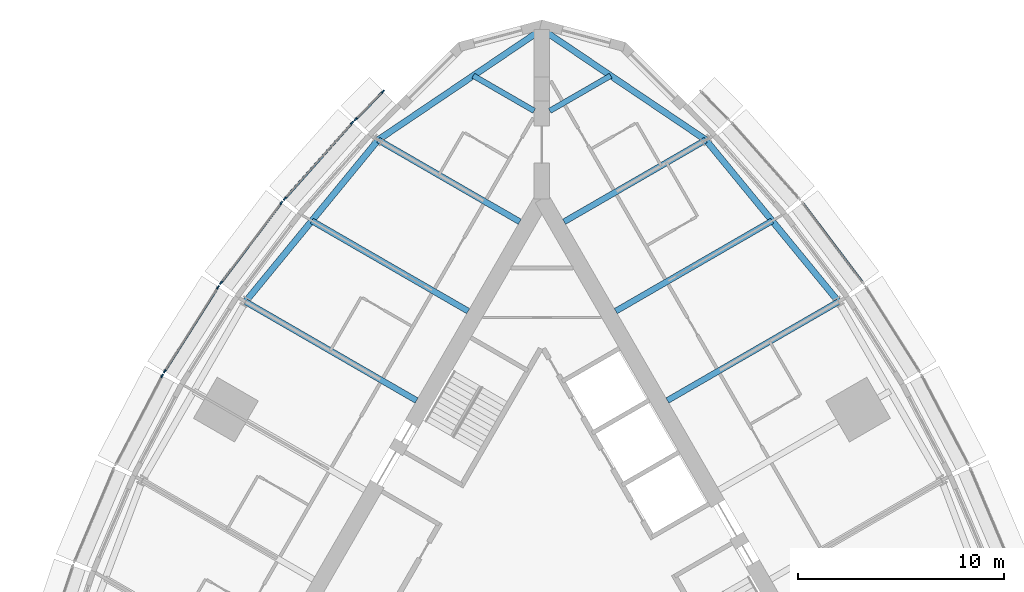
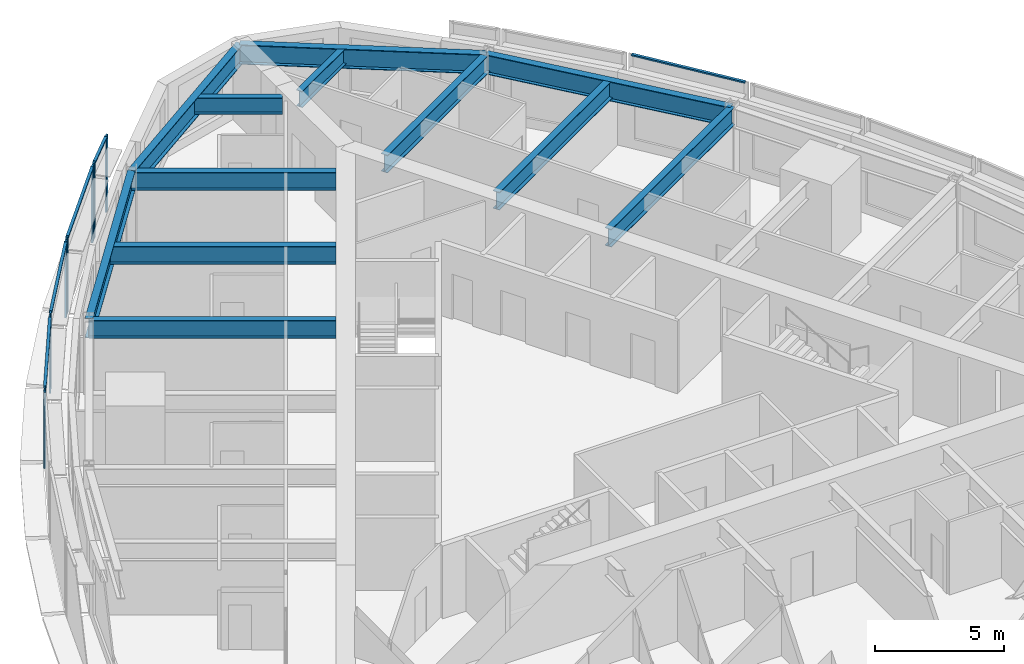
# One storey, part 5 of 15: 14 members, 12 beams, 6 elements without a shape of their own.
"""IFC4 building model written with IfcOpenShell, lengths in metres."""

from ifc_helpers import new_model, si_unit, direction, frame, origin, origin_2d, place, context, subcontext, project, spatial, rectangle, i_section, extrude, material, material_profile, profile_set, type_object, element, aggregate, save


model = new_model("IFC4")

# Units and contexts
model_context = context("Model", 3, precision=1e-05, world=origin(), true_north=direction((0.0, 1.0)))
body_context = subcontext(model_context, "Body", "Model", "MODEL_VIEW")
ifc_project = project(units=[si_unit("LENGTHUNIT", "METRE"), si_unit("AREAUNIT", "SQUARE_METRE"), si_unit("VOLUMEUNIT", "CUBIC_METRE"), si_unit("PLANEANGLEUNIT", "RADIAN"), si_unit("MASSUNIT", "GRAM", prefix="KILO")], contexts=[model_context])

# Site, building, storey
site_placement = place(None, origin())
site = spatial("IfcSite", under=ifc_project, at=site_placement, CompositionType="ELEMENT")
building_placement = place(site_placement, origin())
building = spatial("IfcBuilding", under=site, at=building_placement, Name="Trikona Tower", CompositionType="ELEMENT")
storey_placement = place(building_placement, frame((0.0, 0.0, 211.699951171875)))
storey = spatial("IfcBuildingStorey", under=building, at=storey_placement, Name="L56", CompositionType="ELEMENT", Elevation=211.699951171875)

# Curtain wall, members
ifc_material_1 = material(Name="Aluminium curtain wall system", Category="aluminium")
curtain_wall_type = type_object("IfcCurtainWallType", Name="Curtain wall DS3", PredefinedType="NOTDEFINED", material=ifc_material_1)
curtain_wall_1_placement = place(storey_placement, origin())
curtain_wall_1 = element("IfcCurtainWall", 1, at=curtain_wall_1_placement, inside=storey, type_object=curtain_wall_type, Name="Curtain wall DS3 L56", PredefinedType="NOTDEFINED")
ifc_material_2 = material(Name="Aluminium mullion, pale anodised", Category="aluminium")
ifc_material_profile_1 = material_profile(ifc_material_2, rectangle(XDim=0.070068359375, YDim=0.179931640625, at=origin_2d()), Name="MUL-DS3")
ifc_profile_set_1 = profile_set([ifc_material_profile_1], Name="Aluminium mullion, pale anodised")
member_type_1 = type_object("IfcMemberType", Name="Mullion DS3 70x180", PredefinedType="MULLION", material=ifc_profile_set_1)
member_1_placement = place(storey_placement, frame((-7.7060546875, 24.237548828125, 0.0), z_axis=(0.0, 0.0, 1.0), x_axis=(0.710051900554, -0.704149343903, 0.0)))
member_1 = element("IfcMember", 2, at=member_1_placement, type_object=member_type_1, Name="CW-DS3 mullion 1", PredefinedType="MULLION", context=body_context, shape_type="SweptSolid", body=[
    extrude(rectangle(XDim=0.070068359375, YDim=0.179931640625, at=origin_2d()), origin(), (0.0, 0.0, 1.0), 3.60009765625),
])
member_2_placement = place(storey_placement, frame((-9.028564453125, 22.904052734375, 0.0), z_axis=(0.0, 0.0, 1.0), x_axis=(0.710051900554, -0.704149343903, 0.0)))
member_2 = element("IfcMember", 3, at=member_2_placement, type_object=member_type_1, Name="CW-DS3 mullion 2", PredefinedType="MULLION", context=body_context, shape_type="SweptSolid", body=[
    extrude(rectangle(XDim=0.070068359375, YDim=0.179931640625, at=origin_2d()), origin(), (0.0, 0.0, 1.0), 3.60009765625),
])

curtain_wall_2_placement = place(storey_placement, origin())
curtain_wall_2 = element("IfcCurtainWall", 4, at=curtain_wall_2_placement, inside=storey, type_object=curtain_wall_type, Name="Curtain wall DS3 L56", PredefinedType="NOTDEFINED")
member_3_placement = place(storey_placement, frame((-9.192138671875, 22.729736328125, 0.0), z_axis=(0.0, 0.0, 1.0), x_axis=(0.747402677853, -0.664371309689, 0.0)))
member_3 = element("IfcMember", 5, at=member_3_placement, type_object=member_type_1, Name="CW-DS3 mullion 1", PredefinedType="MULLION", context=body_context, shape_type="SweptSolid", body=[
    extrude(rectangle(XDim=0.070068359375, YDim=0.179931640625, at=origin_2d()), origin(), (0.0, 0.0, 1.0), 3.60009765625),
])
member_4_placement = place(storey_placement, frame((-12.45751953125, 19.056396484375, 0.0), z_axis=(0.0, 0.0, 1.0), x_axis=(0.747402677853, -0.664371309689, 0.0)))
member_4 = element("IfcMember", 6, at=member_4_placement, type_object=member_type_1, Name="CW-DS3 mullion 2", PredefinedType="MULLION", context=body_context, shape_type="SweptSolid", body=[
    extrude(rectangle(XDim=0.070068359375, YDim=0.179931640625, at=origin_2d()), origin(), (0.0, 0.0, 1.0), 3.60009765625),
])

curtain_wall_3_placement = place(storey_placement, origin())
curtain_wall_3 = element("IfcCurtainWall", 7, at=curtain_wall_3_placement, inside=storey, type_object=curtain_wall_type, Name="Curtain wall DS3 L56", PredefinedType="NOTDEFINED")
member_5_placement = place(storey_placement, frame((-12.62353515625, 18.853759765625, 0.0), z_axis=(0.0, 0.0, 1.0), x_axis=(0.798193208724, -0.602401528506, 0.0)))
member_5 = element("IfcMember", 8, at=member_5_placement, type_object=member_type_1, Name="CW-DS3 mullion 1", PredefinedType="MULLION", context=body_context, shape_type="SweptSolid", body=[
    extrude(rectangle(XDim=0.070068359375, YDim=0.179931640625, at=origin_2d()), origin(), (0.0, 0.0, 1.0), 3.60009765625),
])
member_6_placement = place(storey_placement, frame((-15.5439453125, 14.984130859375, 0.0), z_axis=(0.0, 0.0, 1.0), x_axis=(0.798193208724, -0.602401528506, 0.0)))
member_6 = element("IfcMember", 9, at=member_6_placement, type_object=member_type_1, Name="CW-DS3 mullion 2", PredefinedType="MULLION", context=body_context, shape_type="SweptSolid", body=[
    extrude(rectangle(XDim=0.070068359375, YDim=0.179931640625, at=origin_2d()), origin(), (0.0, 0.0, 1.0), 3.60009765625),
])

curtain_wall_4_placement = place(storey_placement, origin())
curtain_wall_4 = element("IfcCurtainWall", 10, at=curtain_wall_4_placement, inside=storey, type_object=curtain_wall_type, Name="Curtain wall DS3 L56", PredefinedType="NOTDEFINED")
member_7_placement = place(storey_placement, frame((-15.69384765625, 14.767578125, 0.0), z_axis=(0.0, 0.0, 1.0), x_axis=(0.844727131858, -0.535197227854, 0.0)))
member_7 = element("IfcMember", 11, at=member_7_placement, type_object=member_type_1, Name="CW-DS3 mullion 1", PredefinedType="MULLION", context=body_context, shape_type="SweptSolid", body=[
    extrude(rectangle(XDim=0.070068359375, YDim=0.179931640625, at=origin_2d()), origin(), (0.0, 0.0, 1.0), 3.60009765625),
])
member_8_placement = place(storey_placement, frame((-18.2705078125, 10.700927734375, 0.0), z_axis=(0.0, 0.0, 1.0), x_axis=(0.844727131858, -0.535197227854, 0.0)))
member_8 = element("IfcMember", 12, at=member_8_placement, type_object=member_type_1, Name="CW-DS3 mullion 2", PredefinedType="MULLION", context=body_context, shape_type="SweptSolid", body=[
    extrude(rectangle(XDim=0.070068359375, YDim=0.179931640625, at=origin_2d()), origin(), (0.0, 0.0, 1.0), 3.60009765625),
])

# Curtain wall, member
curtain_wall_5_placement = place(storey_placement, origin())
curtain_wall_5 = element("IfcCurtainWall", 13, at=curtain_wall_5_placement, inside=storey, type_object=curtain_wall_type, Name="Curtain wall DS3 L56", PredefinedType="NOTDEFINED")
member_9_placement = place(storey_placement, frame((-18.40234375, 10.472412109375, 0.0), z_axis=(0.0, 0.0, 1.0), x_axis=(0.885862390527, -0.463948084434, 0.0)))
member_9 = element("IfcMember", 14, at=member_9_placement, type_object=member_type_1, Name="CW-DS3 mullion 1", PredefinedType="MULLION", context=body_context, shape_type="SweptSolid", body=[
    extrude(rectangle(XDim=0.070068359375, YDim=0.179931640625, at=origin_2d()), origin(), (0.0, 0.0, 1.0), 3.60009765625),
])
aggregate(curtain_wall_5, [member_9])

# Beams
ifc_material_3 = material(Name="Steel ASTM A992 Grade 50", Category="steel")
ifc_material_profile_2 = material_profile(ifc_material_3, i_section(OverallWidth=0.2666015625, OverallDepth=0.76953125, WebThickness=0.015625, FlangeThickness=0.025390625, at=origin_2d()), Name="W30X132")
ifc_profile_set_2 = profile_set([ifc_material_profile_2], Name="Steel ASTM A992 Grade 50")
beam_type_1 = type_object("IfcBeamType", Name="Steel beam W30x132 (wedge)", PredefinedType="BEAM", material=ifc_profile_set_2)
for number, where, z_axis, x_axis, name in (
    (15, (0.375, 23.310546875, 3.05029296875), (0.866027000698, 0.499997234054, 0.0), (-0.499997234054, 0.866027000698, 0.0), "Floor beam L57 F2 u20"),
    (16, (-0.375, 23.310546875, 3.05029296875), (-0.866027000698, 0.499997234054, 0.0), (-0.499997234054, -0.866027000698, 0.0), "Floor beam L57 F3 u-20"),
):
    element("IfcBeam", number, at=place(storey_placement, frame(where, z_axis=z_axis, x_axis=x_axis)), inside=storey, type_object=beam_type_1, Name=name, PredefinedType="BEAM", context=body_context, shape_type="SweptSolid", body=[
        extrude(i_section(OverallWidth=0.2666015625, OverallDepth=0.76953125, WebThickness=0.015625, FlangeThickness=0.025390625, at=origin_2d()), origin(), (0.0, 0.0, 1.0), 3.40966796875),
    ])
ifc_material_4 = material(Name="Steel ASTM A992 Grade 50", Category="steel")
ifc_material_profile_3 = material_profile(ifc_material_4, i_section(OverallWidth=0.2919921875, OverallDepth=0.845703125, WebThickness=0.015380859375, FlangeThickness=0.0244140625, at=origin_2d()), Name="W33X141")
ifc_profile_set_3 = profile_set([ifc_material_profile_3], Name="Steel ASTM A992 Grade 50")
beam_type_2 = type_object("IfcBeamType", Name="Steel beam W33x141 (radial typ)", PredefinedType="BEAM", material=ifc_profile_set_3)
beam_1_placement = place(storey_placement, frame((6.07470703125, 9.28076171875, 3.01220703125), z_axis=(0.866025863714, 0.499999203377, 0.0), x_axis=(-0.499999203377, 0.866025863714, 0.0)))
element("IfcBeam", 17, at=beam_1_placement, inside=storey, type_object=beam_type_2, Name="Floor beam L57 F2 u5", PredefinedType="BEAM", context=body_context, shape_type="SweptSolid", body=[
    extrude(i_section(OverallWidth=0.2919921875, OverallDepth=0.845703125, WebThickness=0.015380859375, FlangeThickness=0.0244140625, at=origin_2d()), origin(), (0.0, 0.0, 1.0), 9.57080078125),
])
beam_2_placement = place(storey_placement, frame((3.57470703125, 13.61083984375, 3.01220703125), z_axis=(0.866013609749, 0.500020427312, 0.0), x_axis=(-0.500020427312, 0.866013609749, 0.0)))
element("IfcBeam", 18, at=beam_2_placement, inside=storey, type_object=beam_type_2, Name="Floor beam L57 F2 u10", PredefinedType="BEAM", context=body_context, shape_type="SweptSolid", body=[
    extrude(i_section(OverallWidth=0.2919921875, OverallDepth=0.845703125, WebThickness=0.015380859375, FlangeThickness=0.0244140625, at=origin_2d()), origin(), (0.0, 0.0, 1.0), 8.747314453125),
])
for number, where, z_axis, x_axis, name in (
    (19, (1.07470703125, 17.94091796875, 3.01220703125), (0.866019853763, 0.500009612796, 0.0), (-0.500009612796, 0.866019853763, 0.0), "Floor beam L57 F2 u15"),
    (20, (-1.07470703125, 17.94091796875, 3.01220703125), (-0.866019853763, 0.500009612796, 0.0), (-0.500009612796, -0.866019853763, 0.0), "Floor beam L57 F3 u-15"),
):
    element("IfcBeam", number, at=place(storey_placement, frame(where, z_axis=z_axis, x_axis=x_axis)), inside=storey, type_object=beam_type_2, Name=name, PredefinedType="BEAM", context=body_context, shape_type="SweptSolid", body=[
        extrude(i_section(OverallWidth=0.2919921875, OverallDepth=0.845703125, WebThickness=0.015380859375, FlangeThickness=0.0244140625, at=origin_2d()), origin(), (0.0, 0.0, 1.0), 7.923583984375),
    ])
beam_3_placement = place(storey_placement, frame((-3.57470703125, 13.61083984375, 3.01220703125), z_axis=(-0.866013609749, 0.500020427312, 0.0), x_axis=(-0.500020427312, -0.866013609749, 0.0)))
element("IfcBeam", 21, at=beam_3_placement, inside=storey, type_object=beam_type_2, Name="Floor beam L57 F3 u-10", PredefinedType="BEAM", context=body_context, shape_type="SweptSolid", body=[
    extrude(i_section(OverallWidth=0.2919921875, OverallDepth=0.845703125, WebThickness=0.015380859375, FlangeThickness=0.0244140625, at=origin_2d()), origin(), (0.0, 0.0, 1.0), 8.747314453125),
])
beam_4_placement = place(storey_placement, frame((-6.07470703125, 9.28076171875, 3.01220703125), z_axis=(-0.866025863714, 0.499999203377, 0.0), x_axis=(-0.499999203377, -0.866025863714, 0.0)))
element("IfcBeam", 22, at=beam_4_placement, inside=storey, type_object=beam_type_2, Name="Floor beam L57 F3 u-5", PredefinedType="BEAM", context=body_context, shape_type="SweptSolid", body=[
    extrude(i_section(OverallWidth=0.2919921875, OverallDepth=0.845703125, WebThickness=0.015380859375, FlangeThickness=0.0244140625, at=origin_2d()), origin(), (0.0, 0.0, 1.0), 9.57080078125),
])
ifc_material_5 = material(Name="Steel ASTM A992 Grade 50", Category="steel")
ifc_material_profile_4 = material_profile(ifc_material_5, i_section(OverallWidth=0.307373046875, OverallDepth=0.922119140625, WebThickness=0.018310546875, FlangeThickness=0.030029296875, at=origin_2d()), Name="W36X182")
ifc_profile_set_4 = profile_set([ifc_material_profile_4], Name="Steel ASTM A992 Grade 50")
beam_type_3 = type_object("IfcBeamType", Name="Steel beam W36x182 (spandrel mid)", PredefinedType="SPANDREL", material=ifc_profile_set_4)
beam_5_placement = place(storey_placement, frame((14.36328125, 14.066162109375, 2.97412109375), z_axis=(-0.634105803308, 0.77324629337, 0.0), x_axis=(-0.77324629337, -0.634105803308, 0.0)))
element("IfcBeam", 23, at=beam_5_placement, inside=storey, type_object=beam_type_3, Name="Spandrel beam L57 F2-4", PredefinedType="SPANDREL", context=body_context, shape_type="SweptSolid", body=[
    extrude(i_section(OverallWidth=0.307373046875, OverallDepth=0.922119140625, WebThickness=0.018310546875, FlangeThickness=0.030029296875, at=origin_2d()), origin(), (0.0, 0.0, 1.0), 10.134765625),
])
for number, where, z_axis, x_axis, name in (
    (24, (7.936767578125, 21.90283203125, 2.97412109375), (-0.828725418029, 0.55965541319, 0.0), (-0.55965541319, -0.828725418029, 0.0), "Spandrel beam L57 F2-5"),
    (25, (0.0, 27.2626953125, 2.97412109375), (-0.828725418029, -0.55965541319, 0.0), (0.55965541319, -0.828725418029, 0.0), "Spandrel beam L57 F3-1"),
):
    element("IfcBeam", number, at=place(storey_placement, frame(where, z_axis=z_axis, x_axis=x_axis)), inside=storey, type_object=beam_type_3, Name=name, PredefinedType="SPANDREL", context=body_context, shape_type="SweptSolid", body=[
        extrude(i_section(OverallWidth=0.307373046875, OverallDepth=0.922119140625, WebThickness=0.018310546875, FlangeThickness=0.030029296875, at=origin_2d()), origin(), (0.0, 0.0, 1.0), 9.5771484375),
    ])
beam_6_placement = place(storey_placement, frame((-7.936767578125, 21.90283203125, 2.97412109375), z_axis=(-0.634105803308, -0.77324629337, 0.0), x_axis=(0.77324629337, -0.634105803308, 0.0)))
element("IfcBeam", 26, at=beam_6_placement, inside=storey, type_object=beam_type_3, Name="Spandrel beam L57 F3-2", PredefinedType="SPANDREL", context=body_context, shape_type="SweptSolid", body=[
    extrude(i_section(OverallWidth=0.307373046875, OverallDepth=0.922119140625, WebThickness=0.018310546875, FlangeThickness=0.030029296875, at=origin_2d()), origin(), (0.0, 0.0, 1.0), 10.134765625),
])

# Curtain wall, member
curtain_wall_6_placement = place(storey_placement, origin())
curtain_wall_6 = element("IfcCurtainWall", 27, at=curtain_wall_6_placement, inside=storey, type_object=curtain_wall_type, Name="Curtain wall DS3 L56", PredefinedType="NOTDEFINED")
ifc_material_6 = material(Name="Aluminium transom, pale anodised", Category="aluminium")
ifc_material_profile_5 = material_profile(ifc_material_6, rectangle(XDim=0.1201171875, YDim=0.070068359375, at=origin_2d()), Name="TRN-DS3")
ifc_profile_set_5 = profile_set([ifc_material_profile_5], Name="Aluminium transom, pale anodised")
member_type_2 = type_object("IfcMemberType", Name="Transom DS3 70x120", PredefinedType="USERDEFINED", material=ifc_profile_set_5)
member_10_placement = place(storey_placement, frame((15.52294921875, 15.011962890625, 3.56494140625), z_axis=(-0.602400763927, 0.798193785756, 0.0), x_axis=(-0.798193785756, -0.602400763927, 0.0)))
member_10 = element("IfcMember", 28, at=member_10_placement, type_object=member_type_2, Name="CW-DS3 transom 1.1", ObjectType="TRANSOM", PredefinedType="USERDEFINED", context=body_context, shape_type="SweptSolid", body=[
    extrude(rectangle(XDim=0.1201171875, YDim=0.070068359375, at=origin_2d()), origin(), (0.0, 0.0, 1.0), 4.7783203125),
])
aggregate(curtain_wall_6, [member_10])

# Member
member_11_placement = place(storey_placement, frame((-7.73046875, 24.212890625, 3.56494140625), z_axis=(-0.704130668076, -0.710070420645, 0.0), x_axis=(0.710070420645, -0.704130668076, 0.0)))
member_11 = element("IfcMember", 29, at=member_11_placement, type_object=member_type_2, Name="CW-DS3 transom 1.1", ObjectType="TRANSOM", PredefinedType="USERDEFINED", context=body_context, shape_type="SweptSolid", body=[
    extrude(rectangle(XDim=0.1201171875, YDim=0.070068359375, at=origin_2d()), origin(), (0.0, 0.0, 1.0), 1.80859375),
])

aggregate(curtain_wall_1, [member_1, member_2, member_11])

member_12_placement = place(storey_placement, frame((-9.21533203125, 22.70361328125, 3.56494140625), z_axis=(-0.66436383883, -0.747409318684, 0.0), x_axis=(0.747409318684, -0.66436383883, 0.0)))
member_12 = element("IfcMember", 30, at=member_12_placement, type_object=member_type_2, Name="CW-DS3 transom 1.1", ObjectType="TRANSOM", PredefinedType="USERDEFINED", context=body_context, shape_type="SweptSolid", body=[
    extrude(rectangle(XDim=0.1201171875, YDim=0.070068359375, at=origin_2d()), origin(), (0.0, 0.0, 1.0), 4.844970703125),
])

aggregate(curtain_wall_2, [member_3, member_4, member_12])

member_13_placement = place(storey_placement, frame((-12.64453125, 18.825927734375, 3.56494140625), z_axis=(-0.602400763927, -0.798193785756, 0.0), x_axis=(0.798193785756, -0.602400763927, 0.0)))
member_13 = element("IfcMember", 31, at=member_13_placement, type_object=member_type_2, Name="CW-DS3 transom 1.1", ObjectType="TRANSOM", PredefinedType="USERDEFINED", context=body_context, shape_type="SweptSolid", body=[
    extrude(rectangle(XDim=0.1201171875, YDim=0.070068359375, at=origin_2d()), origin(), (0.0, 0.0, 1.0), 4.7783203125),
])

aggregate(curtain_wall_3, [member_5, member_6, member_13])

member_14_placement = place(storey_placement, frame((-15.712646484375, 14.738037109375, 3.56494140625), z_axis=(-0.535192866729, -0.844729894938, 0.0), x_axis=(0.844729894938, -0.535192866729, 0.0)))
member_14 = element("IfcMember", 32, at=member_14_placement, type_object=member_type_2, Name="CW-DS3 transom 1.1", ObjectType="TRANSOM", PredefinedType="USERDEFINED", context=body_context, shape_type="SweptSolid", body=[
    extrude(rectangle(XDim=0.1201171875, YDim=0.070068359375, at=origin_2d()), origin(), (0.0, 0.0, 1.0), 4.744140625),
])

aggregate(curtain_wall_4, [member_7, member_8, member_14])

save(model, "model.ifc")
